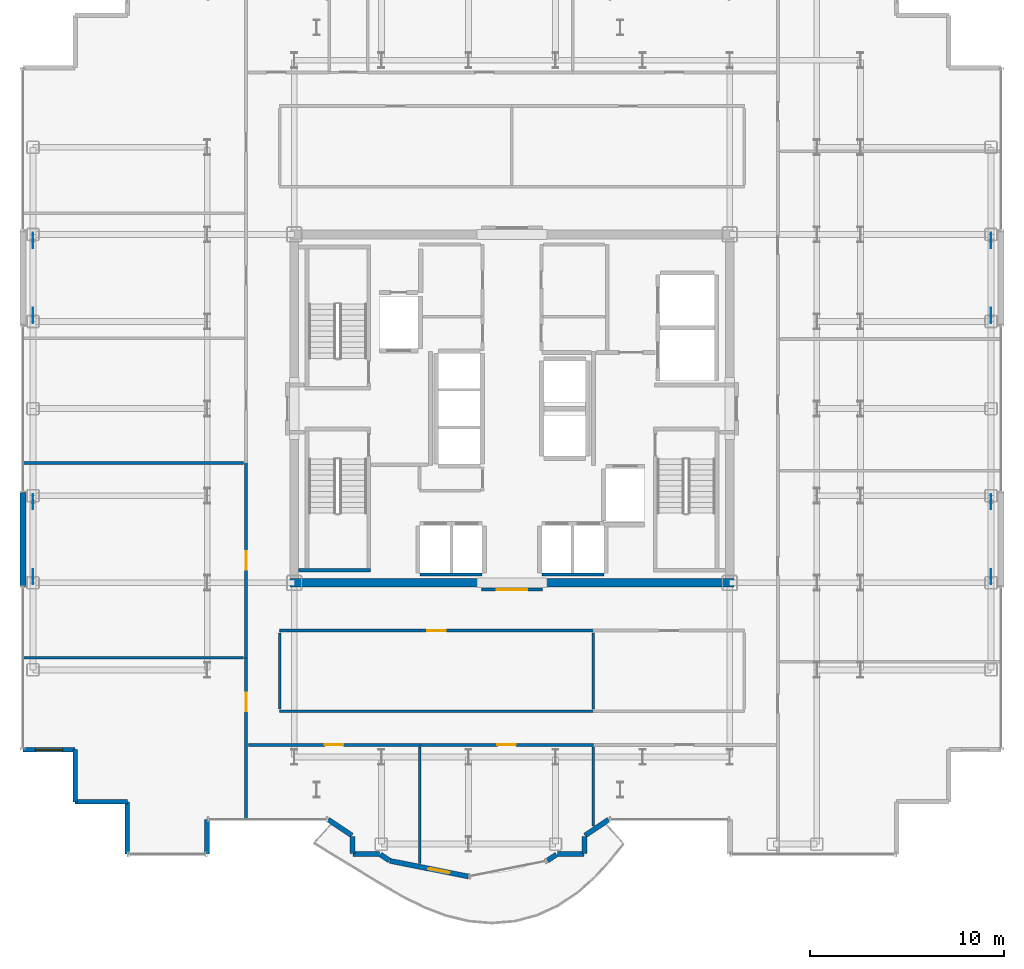
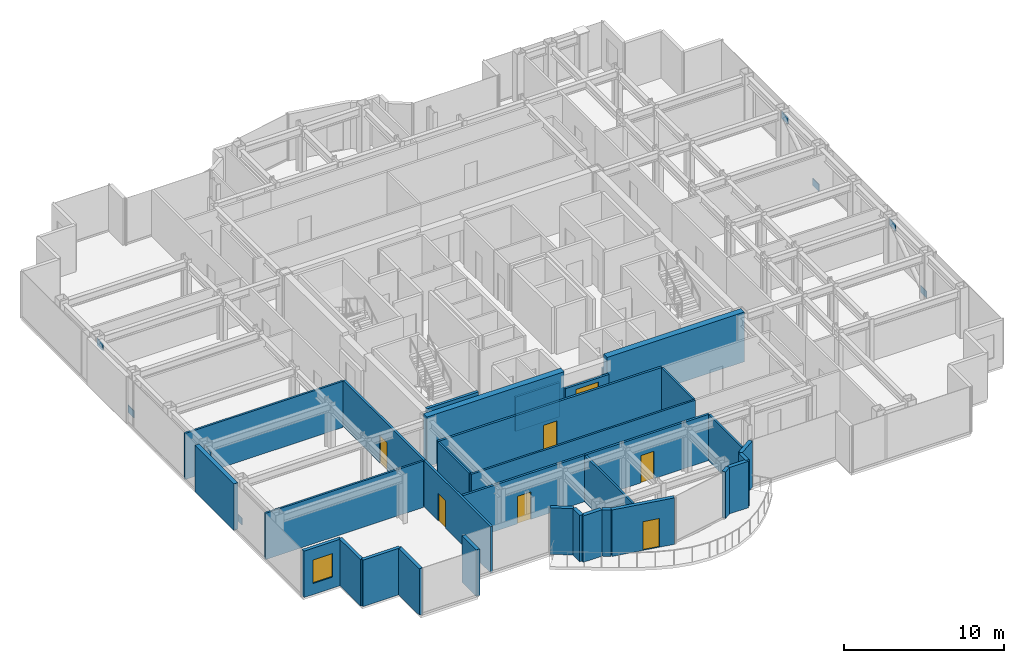
# One storey, part 15 of 22: 33 walls, 8 plates, 7 doors, 1 window, 8 openings.
"""IFC4 building model written with IfcOpenShell, lengths in metres."""

from ifc_helpers import new_model, si_unit, direction, frame, frame_2d, origin, origin_2d, place, context, subcontext, project, spatial, rectangle, extrude, source, transform, mapped, material, layer, layer_set, type_object, element, fill, save


model = new_model("IFC4")

# Units and contexts
model_context = context("Model", 3, precision=1e-05, world=origin(), true_north=direction((0.0, 1.0)))
body_context = subcontext(model_context, "Body", "Model", "MODEL_VIEW")
ifc_project = project(units=[si_unit("LENGTHUNIT", "METRE"), si_unit("AREAUNIT", "SQUARE_METRE"), si_unit("VOLUMEUNIT", "CUBIC_METRE"), si_unit("PLANEANGLEUNIT", "RADIAN"), si_unit("MASSUNIT", "GRAM", prefix="KILO")], contexts=[model_context])

# Site, building, storey
site_placement = place(None, origin())
site = spatial("IfcSite", under=ifc_project, at=site_placement, CompositionType="ELEMENT")
building_placement = place(site_placement, origin())
building = spatial("IfcBuilding", under=site, at=building_placement, Name="Nefas-Gora Pilgrimage Tower", CompositionType="ELEMENT")
storey_placement = place(building_placement, frame((0.0, 0.0, 218.0)))
storey = spatial("IfcBuildingStorey", under=building, at=storey_placement, Name="L54", CompositionType="ELEMENT", Elevation=218.0)

# Plates
ifc_material_1 = material(Name="Steel S460", Category="steel")
ifc_layer_1 = layer(ifc_material_1, 0.050048828125)
ifc_layer_set_1 = layer_set([ifc_layer_1], Name="Steel S460")
plate_type = type_object("IfcPlateType", Name="PLT-NODE-N08", PredefinedType="USERDEFINED", material=ifc_layer_set_1)
shared_shape_1 = source(origin(), body_context, "Body", "SweptSolid", [
    extrude(rectangle(XDim=0.780029296875, YDim=0.0380859375, at=origin_2d()), origin(), (0.0, 0.0, 1.0), 0.5400390625),
])
for number, where, z_axis, x_axis, name in (
    (1, (-24.75, -8.68701171875, 0.10400390625), (0.0, 0.0, 1.0), (0.0, 1.0, 0.0), "Structural Node Gusset Plate N08 (L54)"),
    (2, (-24.75, -4.81298828125, 2.8759765625), (0.0, 0.0, 1.0), (0.0, 1.0, 0.0), "Structural Node Gusset Plate N08 (L54)"),
    (3, (-24.75, 4.81298828125, 0.10400390625), (0.0, 0.0, 1.0), (0.0, 1.0, 0.0), "Structural Node Gusset Plate N08 (L54)"),
    (4, (-24.75, 8.68701171875, 2.8759765625), (0.0, 0.0, 1.0), (0.0, 1.0, 0.0), "Structural Node Gusset Plate N08 (L54)"),
    (5, (24.75, -8.68701171875, 0.10400390625), (0.0, 0.0, 1.0), (0.0, 1.0, 0.0), "Structural Node Gusset Plate N08 (L54)"),
    (6, (24.75, -4.81298828125, 2.8759765625), (0.0, 0.0, 1.0), (0.0, 1.0, 0.0), "Structural Node Gusset Plate N08 (L54)"),
    (7, (24.75, 4.81298828125, 0.10400390625), (0.0, 0.0, 1.0), (0.0, 1.0, 0.0), "Structural Node Gusset Plate N08 (L54)"),
    (8, (24.75, 8.68701171875, 2.8759765625), (0.0, 0.0, 1.0), (0.0, 1.0, 0.0), "Structural Node Gusset Plate N08 (L54)"),
):
    element("IfcPlate", number, at=place(storey_placement, frame(where, z_axis=z_axis, x_axis=x_axis)), inside=storey, type_object=plate_type, Name=name, ObjectType="GUSSET_PLATE", PredefinedType="USERDEFINED", context=body_context, shape_type="MappedRepresentation", body=[
        mapped(shared_shape_1, transform((0.0, 0.0, 0.0), x_axis=(1.0, 0.0, 0.0), y_axis=(0.0, 1.0, 0.0), z_axis=(0.0, 0.0, 1.0), scale=1.0)),
    ])

# Walls
ifc_material_2 = material(Name="Concrete C50/60", Category="concrete")
ifc_layer_2 = layer(ifc_material_2, 0.449951171875)
ifc_layer_set_2 = layer_set([ifc_layer_2], Name="Concrete C50/60")
wall_type_1 = type_object("IfcWallType", Name="SW-CORE-450", PredefinedType="SHEAR", material=ifc_layer_set_2)
shared_shape_2 = source(origin(), body_context, "Body", "SweptSolid", [
    extrude(rectangle(XDim=9.925048828125, YDim=0.449951171875, at=frame_2d((4.96240234375, 0.0))), origin(), (0.0, 0.0, 1.0), 3.800048828125),
])
for number, where, z_axis, x_axis, name in (
    (9, (-11.47509765625, -9.0, 0.0), (0.0, 0.0, 1.0), (1.0, 0.0, 0.0), "L54 Core Shear Wall S-West"),
    (10, (1.550048828125, -9.0, 0.0), (0.0, 0.0, 1.0), (1.0, 0.0, 0.0), "L54 Core Shear Wall S-East"),
):
    element("IfcWall", number, at=place(storey_placement, frame(where, z_axis=z_axis, x_axis=x_axis)), inside=storey, type_object=wall_type_1, Name=name, PredefinedType="SHEAR", context=body_context, shape_type="MappedRepresentation", body=[
        mapped(shared_shape_2, transform((0.0, 0.0, 0.0), x_axis=(1.0, 0.0, 0.0), y_axis=(0.0, 1.0, 0.0), z_axis=(0.0, 0.0, 1.0), scale=1.0)),
    ])
ifc_material_3 = material(Name="Precast concrete C45/55", Category="concrete")
ifc_layer_3 = layer(ifc_material_3, 0.239990234375)
ifc_layer_set_3 = layer_set([ifc_layer_3], Name="Precast concrete C45/55")
wall_type_2 = type_object("IfcWallType", Name="EW-SERR-240", PredefinedType="SHEAR", material=ifc_layer_set_3)
shared_shape_3 = source(origin(), body_context, "Body", "SweptSolid", [
    extrude(rectangle(XDim=4.8798828125, YDim=0.300048828125, at=frame_2d((2.43994140625, 0.0))), origin(), (0.0, 0.0, 1.0), 3.550048828125),
])
wall_1_placement = place(storey_placement, frame((-25.27001953125, -9.18994140625, 0.0), z_axis=(0.0, 0.0, 1.0), x_axis=(0.0, 1.0, 0.0)))
element("IfcWall", 11, at=wall_1_placement, inside=storey, type_object=wall_type_2, Name="L54 Braced-Tube Precast Shear Cladding 1", PredefinedType="SHEAR", context=body_context, shape_type="MappedRepresentation", body=[
    mapped(shared_shape_3, transform((0.0, 0.0, 0.0), x_axis=(1.0, 0.0, 0.0), y_axis=(0.0, 1.0, 0.0), z_axis=(0.0, 0.0, 1.0), scale=1.0)),
])
ifc_material_4 = material(Name="Precast concrete C40/50", Category="concrete")
ifc_layer_4 = layer(ifc_material_4, 0.260009765625)
ifc_layer_set_4 = layer_set([ifc_layer_4], Name="Precast concrete C40/50")
wall_type_3 = type_object("IfcWallType", Name="EW-PORTAL-260", PredefinedType="SOLIDWALL", material=ifc_layer_set_4)
shared_shape_4 = source(origin(), body_context, "Body", "SweptSolid", [
    extrude(rectangle(XDim=1.800048828125, YDim=0.260009765625, at=frame_2d((0.89990234375, 0.0))), origin(), (0.0, 0.0, 1.0), 3.550048828125),
])
wall_2_placement = place(storey_placement, frame((-15.75, -23.02001953125, 0.0), z_axis=(0.0, 0.0, 1.0), x_axis=(0.0, 1.0, 0.0)))
element("IfcWall", 12, at=wall_2_placement, inside=storey, type_object=wall_type_3, Name="L54 Lobe Shoulder Precast Spandrel Pier 33", PredefinedType="SOLIDWALL", context=body_context, shape_type="MappedRepresentation", body=[
    mapped(shared_shape_4, transform((0.0, 0.0, 0.0), x_axis=(1.0, 0.0, 0.0), y_axis=(0.0, 1.0, 0.0), z_axis=(0.0, 0.0, 1.0), scale=1.0)),
])

# Wall, opening, window
shared_shape_5 = source(origin(), body_context, "Body", "SweptSolid", [
    extrude(rectangle(XDim=2.699951171875, YDim=0.239990234375, at=frame_2d((1.35009765625, 0.0))), origin(), (0.0, 0.0, 1.0), 3.550048828125),
])
wall_3_placement = place(storey_placement, frame((-25.27001953125, -17.6201171875, 0.0), z_axis=(0.0, 0.0, 1.0), x_axis=(1.0, 0.0, 0.0)))
wall_3 = element("IfcWall", 13, at=wall_3_placement, inside=storey, type_object=wall_type_2, Name="L54 Serrated Corner Shear Pier Wall 29", PredefinedType="SHEAR", context=body_context, shape_type="MappedRepresentation", body=[
    mapped(shared_shape_5, transform((0.0, 0.0, 0.0), x_axis=(1.0, 0.0, 0.0), y_axis=(0.0, 1.0, 0.0), z_axis=(0.0, 0.0, 1.0), scale=1.0)),
])
opening_1_placement = place(wall_3_placement, frame((0.64990234375, 0.0, 0.85009765625)))
opening_1 = element("IfcOpeningElement", 14, at=opening_1_placement, cuts=wall_3, Name="Opening W-V2", PredefinedType="OPENING", context=body_context, shape_type="SweptSolid", body=[
    extrude(rectangle(XDim=1.39990234375, YDim=1.800048828125, at=frame_2d((0.699951171875, 0.89990234375))), frame((0.0, 0.1298828125, 0.0), z_axis=(0.0, -1.0, 0.0), x_axis=(1.0, 0.0, 0.0)), (0.0, 0.0, 1.0), 0.260009765625),
])
ifc_material_5 = material(Name="Dark ceramic-fritted operable aluminium-glass window", Category="aluminium")
window_type = type_object("IfcWindowType", Name="WIN-VENT-1400x1800", PartitioningType="SINGLE_PANEL", PredefinedType="WINDOW", material=ifc_material_5)
shared_shape_6 = source(origin(), body_context, "Body", "SweptSolid", [
    extrude(rectangle(XDim=1.39990234375, YDim=1.800048828125, at=frame_2d((0.699951171875, 0.89990234375))), frame((0.0, 0.030029296875, 0.0), z_axis=(0.0, -1.0, 0.0), x_axis=(1.0, 0.0, 0.0)), (0.0, 0.0, 1.0), 0.06005859375),
])
window_placement = place(opening_1_placement, origin())
window = element("IfcWindow", 15, at=window_placement, inside=storey, type_object=window_type, Name="L54 Operable Parallel-Outswing Window 29", OverallHeight=1.800048828125, OverallWidth=1.39990234375, PartitioningType="SINGLE_PANEL", PredefinedType="WINDOW", context=body_context, shape_type="MappedRepresentation", body=[
    mapped(shared_shape_6, transform((0.0, 0.0, 0.0), x_axis=(1.0, 0.0, 0.0), y_axis=(0.0, 1.0, 0.0), z_axis=(0.0, 0.0, 1.0), scale=1.0)),
])
fill(opening_1, window)

# Walls
for number, where, z_axis, x_axis, name in (
    (16, (-22.570068359375, -17.6201171875, 0.0), (0.0, 0.0, 1.0), (0.0, -1.0, 0.0), "L54 Serrated Corner Shear Pier Wall 30"),
    (17, (-22.570068359375, -20.320068359375, 0.0), (0.0, 0.0, 1.0), (1.0, 0.0, 0.0), "L54 Serrated Corner Shear Pier Wall 31"),
    (18, (-19.8701171875, -20.320068359375, 0.0), (0.0, 0.0, 1.0), (0.0, -1.0, 0.0), "L54 Serrated Corner Shear Pier Wall 32"),
):
    element("IfcWall", number, at=place(storey_placement, frame(where, z_axis=z_axis, x_axis=x_axis)), inside=storey, type_object=wall_type_2, Name=name, PredefinedType="SHEAR", context=body_context, shape_type="MappedRepresentation", body=[
        mapped(shared_shape_5, transform((0.0, 0.0, 0.0), x_axis=(1.0, 0.0, 0.0), y_axis=(0.0, 1.0, 0.0), z_axis=(0.0, 0.0, 1.0), scale=1.0)),
    ])
shared_shape_7 = source(origin(), body_context, "Body", "SweptSolid", [
    extrude(rectangle(XDim=1.468994140625, YDim=0.260009765625, at=frame_2d((0.734375, 0.0))), origin(), (0.0, 0.0, 1.0), 3.550048828125),
])
for number, where, z_axis, x_axis, name in (
    (19, (-9.49462890625, -21.235595703125, 0.0), (0.0, 0.0, 1.0), (0.831461760506, -0.555581983884, 0.0), "L54 Lobe Shoulder Precast Spandrel Pier 34"),
    (20, (3.773193359375, -22.0517578125, 0.0), (0.0, 0.0, 1.0), (0.831461760506, 0.555581983884, 0.0), "L54 Lobe Shoulder Precast Spandrel Pier 42"),
):
    element("IfcWall", number, at=place(storey_placement, frame(where, z_axis=z_axis, x_axis=x_axis)), inside=storey, type_object=wall_type_3, Name=name, PredefinedType="SOLIDWALL", context=body_context, shape_type="MappedRepresentation", body=[
        mapped(shared_shape_7, transform((0.0, 0.0, 0.0), x_axis=(1.0, 0.0, 0.0), y_axis=(0.0, 1.0, 0.0), z_axis=(0.0, 0.0, 1.0), scale=1.0)),
    ])
shared_shape_8 = source(origin(), body_context, "Body", "SweptSolid", [
    extrude(rectangle(XDim=0.896728515625, YDim=0.260009765625, at=frame_2d((0.4482421875, 0.0))), origin(), (0.0, 0.0, 1.0), 3.550048828125),
])
for number, where, z_axis, x_axis, name in (
    (21, (-8.25, -22.09521484375, 0.0), (0.0, 0.0, 1.0), (0.0, -1.0, 0.0), "L54 Lobe Shoulder Precast Spandrel Pier 35"),
    (22, (3.75, -22.991943359375, 0.0), (0.0, 0.0, 1.0), (0.0, 1.0, 0.0), "L54 Lobe Shoulder Precast Spandrel Pier 41"),
):
    element("IfcWall", number, at=place(storey_placement, frame(where, z_axis=z_axis, x_axis=x_axis)), inside=storey, type_object=wall_type_3, Name=name, PredefinedType="SOLIDWALL", context=body_context, shape_type="MappedRepresentation", body=[
        mapped(shared_shape_8, transform((0.0, 0.0, 0.0), x_axis=(1.0, 0.0, 0.0), y_axis=(0.0, 1.0, 0.0), z_axis=(0.0, 0.0, 1.0), scale=1.0)),
    ])
shared_shape_9 = source(origin(), body_context, "Body", "SweptSolid", [
    extrude(rectangle(XDim=1.369873046875, YDim=0.260009765625, at=frame_2d((0.68505859375, 0.0))), origin(), (0.0, 0.0, 1.0), 3.550048828125),
])
for number, where, z_axis, x_axis, name in (
    (23, (-8.221923828125, -23.02001953125, 0.0), (0.0, 0.0, 1.0), (1.0, 0.0, 0.0), "L54 Lobe Shoulder Precast Spandrel Pier 36"),
    (24, (2.35205078125, -23.02001953125, 0.0), (0.0, 0.0, 1.0), (1.0, 0.0, 0.0), "L54 Lobe Shoulder Precast Spandrel Pier 40"),
):
    element("IfcWall", number, at=place(storey_placement, frame(where, z_axis=z_axis, x_axis=x_axis)), inside=storey, type_object=wall_type_3, Name=name, PredefinedType="SOLIDWALL", context=body_context, shape_type="MappedRepresentation", body=[
        mapped(shared_shape_9, transform((0.0, 0.0, 0.0), x_axis=(1.0, 0.0, 0.0), y_axis=(0.0, 1.0, 0.0), z_axis=(0.0, 0.0, 1.0), scale=1.0)),
    ])
shared_shape_10 = source(origin(), body_context, "Body", "SweptSolid", [
    extrude(rectangle(XDim=0.5654296875, YDim=0.260009765625, at=frame_2d((0.28271484375, 0.0))), origin(), (0.0, 0.0, 1.0), 3.550048828125),
])
for number, where, z_axis, x_axis, name in (
    (25, (-6.80078125, -23.03564453125, 0.0), (0.0, 0.0, 1.0), (0.831651492666, -0.555297933317, 0.0), "L54 Lobe Shoulder Precast Spandrel Pier 37"),
    (26, (1.83056640625, -23.349609375, 0.0), (0.0, 0.0, 1.0), (0.831651492666, 0.555297933317, 0.0), "L54 Lobe Shoulder Precast Spandrel Pier 39"),
):
    element("IfcWall", number, at=place(storey_placement, frame(where, z_axis=z_axis, x_axis=x_axis)), inside=storey, type_object=wall_type_3, Name=name, PredefinedType="SOLIDWALL", context=body_context, shape_type="MappedRepresentation", body=[
        mapped(shared_shape_10, transform((0.0, 0.0, 0.0), x_axis=(1.0, 0.0, 0.0), y_axis=(0.0, 1.0, 0.0), z_axis=(0.0, 0.0, 1.0), scale=1.0)),
    ])

# Wall, opening, door
shared_shape_11 = source(origin(), body_context, "Body", "SweptSolid", [
    extrude(rectangle(XDim=4.136962890625, YDim=0.260009765625, at=frame_2d((2.068359375, 0.0))), origin(), (0.0, 0.0, 1.0), 3.550048828125),
])
wall_4_placement = place(storey_placement, frame((-6.307373046875, -23.365234375, 0.0), z_axis=(0.0, 0.0, 1.0), x_axis=(0.980782170794, -0.195105954428, 0.0)))
wall_4 = element("IfcWall", 27, at=wall_4_placement, inside=storey, type_object=wall_type_3, Name="L54 Insulated Terrace Portal Wall 38", PredefinedType="SOLIDWALL", context=body_context, shape_type="MappedRepresentation", body=[
    mapped(shared_shape_11, transform((0.0, 0.0, 0.0), x_axis=(1.0, 0.0, 0.0), y_axis=(0.0, 1.0, 0.0), z_axis=(0.0, 0.0, 1.0), scale=1.0)),
])
opening_2_placement = place(wall_4_placement, frame((2.03369140625, 0.0, 0.0)))
opening_2 = element("IfcOpeningElement", 28, at=opening_2_placement, cuts=wall_4, Name="Opening ED-B1", PredefinedType="OPENING", context=body_context, shape_type="SweptSolid", body=[
    extrude(rectangle(XDim=1.10009765625, YDim=2.199951171875, at=frame_2d((0.550048828125, 1.10009765625))), frame((0.0, 0.139892578125, 0.0), z_axis=(0.0, -1.0, 0.0), x_axis=(1.0, 0.0, 0.0)), (0.0, 0.0, 1.0), 0.280029296875),
])
ifc_material_6 = material(Name="Thermally broken glazed aluminium balcony door", Category="aluminium")
door_type_1 = type_object("IfcDoorType", Name="DR-EXT-BAL-1100", OperationType="NOTDEFINED", PredefinedType="DOOR", material=ifc_material_6)
shared_shape_12 = source(origin(), body_context, "Body", "SweptSolid", [
    extrude(rectangle(XDim=1.10009765625, YDim=2.199951171875, at=frame_2d((0.550048828125, 1.10009765625))), frame((0.0, 0.02490234375, 0.0), z_axis=(0.0, -1.0, 0.0), x_axis=(1.0, 0.0, 0.0)), (0.0, 0.0, 1.0), 0.050048828125),
])
door_1_placement = place(opening_2_placement, origin())
door_1 = element("IfcDoor", 29, at=door_1_placement, inside=storey, type_object=door_type_1, Name="L54 Exterior Door (L54 S Lobe Wave Balcony)", OperationType="SINGLE_SWING_RIGHT", OverallHeight=2.199951171875, OverallWidth=1.10009765625, PredefinedType="DOOR", context=body_context, shape_type="MappedRepresentation", body=[
    mapped(shared_shape_12, transform((0.0, 0.0, 0.0), x_axis=(1.0, 0.0, 0.0), y_axis=(0.0, 1.0, 0.0), z_axis=(0.0, 0.0, 1.0), scale=1.0)),
])
fill(opening_2, door_1)

# Walls
ifc_material_7 = material(Name="Concrete C45/55", Category="concrete")
ifc_layer_5 = layer(ifc_material_7, 0.199951171875)
ifc_layer_set_5 = layer_set([ifc_layer_5], Name="Concrete C45/55")
wall_type_4 = type_object("IfcWallType", Name="IW-STAIR-200", PredefinedType="SOLIDWALL", material=ifc_layer_set_5)
shared_shape_13 = source(origin(), body_context, "Body", "SweptSolid", [
    extrude(rectangle(XDim=3.72998046875, YDim=0.199951171875, at=frame_2d((1.864990234375, 0.0))), origin(), (0.0, 0.0, 1.0), 3.800048828125),
])
wall_5_placement = place(storey_placement, frame((-11.030029296875, -8.35009765625, 0.0), z_axis=(0.0, 0.0, 1.0), x_axis=(1.0, 0.0, 0.0)))
element("IfcWall", 30, at=wall_5_placement, inside=storey, type_object=wall_type_4, Name="L54 Stairwell Shear Wall ST-03-far", PredefinedType="SOLIDWALL", context=body_context, shape_type="MappedRepresentation", body=[
    mapped(shared_shape_13, transform((0.0, 0.0, 0.0), x_axis=(1.0, 0.0, 0.0), y_axis=(0.0, 1.0, 0.0), z_axis=(0.0, 0.0, 1.0), scale=1.0)),
])
ifc_material_8 = material(Name="Gypsum acoustic stud partition")
ifc_layer_6 = layer(ifc_material_8, 0.159912109375)
ifc_layer_set_6 = layer_set([ifc_layer_6], Name="Gypsum acoustic stud partition")
wall_type_5 = type_object("IfcWallType", Name="IW-CORR-160", PredefinedType="PARTITIONING", material=ifc_layer_set_6)
shared_shape_14 = source(origin(), body_context, "Body", "SweptSolid", [
    extrude(rectangle(XDim=3.199951171875, YDim=0.159912109375, at=frame_2d((1.60009765625, 0.0))), origin(), (0.0, 0.0, 1.0), 2.625),
])
for number, where, z_axis, x_axis, name in (
    (31, (-4.75, -8.580078125, 0.0), (0.0, 0.0, 1.0), (1.0, 0.0, 0.0), "L54 Hoistway Wall PL2-W-S"),
    (32, (1.550048828125, -8.580078125, 0.0), (0.0, 0.0, 1.0), (1.0, 0.0, 0.0), "L54 Hoistway Wall PL2-E-S"),
):
    element("IfcWall", number, at=place(storey_placement, frame(where, z_axis=z_axis, x_axis=x_axis)), inside=storey, type_object=wall_type_5, Name=name, PredefinedType="PARTITIONING", context=body_context, shape_type="MappedRepresentation", body=[
        mapped(shared_shape_14, transform((0.0, 0.0, 0.0), x_axis=(1.0, 0.0, 0.0), y_axis=(0.0, 1.0, 0.0), z_axis=(0.0, 0.0, 1.0), scale=1.0)),
    ])
ifc_material_9 = material(Name="Gypsum twin-stud partition")
ifc_layer_7 = layer(ifc_material_9, 0.139892578125)
ifc_layer_set_7 = layer_set([ifc_layer_7], Name="Gypsum twin-stud partition")
wall_type_6 = type_object("IfcWallType", Name="IW-UNIT-140", PredefinedType="PARTITIONING", material=ifc_layer_set_7)
shared_shape_15 = source(origin(), body_context, "Body", "SweptSolid", [
    extrude(rectangle(XDim=11.429931640625, YDim=0.139892578125, at=frame_2d((5.71484375, 0.0))), origin(), (0.0, 0.0, 1.0), 3.534912109375),
])
for number, where, z_axis, x_axis, name in (
    (33, (-25.2900390625, -12.87744140625, 0.0), (0.0, 0.0, 1.0), (1.0, 0.0, 0.0), "L54 Pilgrim Floor Concierge Foyer Partition Wall 33"),
    (34, (-25.2900390625, -2.804931640625, 0.0), (0.0, 0.0, 1.0), (1.0, 0.0, 0.0), "L54 Pilgrim Floor Concierge Foyer Partition Wall 34"),
):
    element("IfcWall", number, at=place(storey_placement, frame(where, z_axis=z_axis, x_axis=x_axis)), inside=storey, type_object=wall_type_6, Name=name, PredefinedType="PARTITIONING", context=body_context, shape_type="MappedRepresentation", body=[
        mapped(shared_shape_15, transform((0.0, 0.0, 0.0), x_axis=(1.0, 0.0, 0.0), y_axis=(0.0, 1.0, 0.0), z_axis=(0.0, 0.0, 1.0), scale=1.0)),
    ])
shared_shape_16 = source(origin(), body_context, "Body", "SweptSolid", [
    extrude(rectangle(XDim=3.929931640625, YDim=0.139892578125, at=frame_2d((1.96484375, 0.0))), origin(), (0.0, 0.0, 1.0), 3.534912109375),
])
for number, where, z_axis, x_axis, name in (
    (35, (-12.0, -15.52001953125, 0.0), (0.0, 0.0, 1.0), (0.0, 1.0, 0.0), "L54 Pilgrim Contemplative Lounge Partition Wall 67"),
    (36, (4.195068359375, -15.52001953125, 0.0), (0.0, 0.0, 1.0), (0.0, 1.0, 0.0), "L54 Pilgrim Contemplative Lounge Partition Wall 68"),
):
    element("IfcWall", number, at=place(storey_placement, frame(where, z_axis=z_axis, x_axis=x_axis)), inside=storey, type_object=wall_type_6, Name=name, PredefinedType="PARTITIONING", context=body_context, shape_type="MappedRepresentation", body=[
        mapped(shared_shape_16, transform((0.0, 0.0, 0.0), x_axis=(1.0, 0.0, 0.0), y_axis=(0.0, 1.0, 0.0), z_axis=(0.0, 0.0, 1.0), scale=1.0)),
    ])

# Wall, opening, door
shared_shape_17 = source(origin(), body_context, "Body", "SweptSolid", [
    extrude(rectangle(XDim=3.16015625, YDim=0.159912109375, at=frame_2d((1.580078125, 0.0))), origin(), (0.0, 0.0, 1.0), 2.625),
])
wall_6_placement = place(storey_placement, frame((-1.580078125, -9.35009765625, 0.0), z_axis=(0.0, 0.0, 1.0), x_axis=(1.0, 0.0, 0.0)))
wall_6 = element("IfcWall", 37, at=wall_6_placement, inside=storey, type_object=wall_type_5, Name="L54 Central Lift Lobby South Portal Wall 16", PredefinedType="PARTITIONING", context=body_context, shape_type="MappedRepresentation", body=[
    mapped(shared_shape_17, transform((0.0, 0.0, 0.0), x_axis=(1.0, 0.0, 0.0), y_axis=(0.0, 1.0, 0.0), z_axis=(0.0, 0.0, 1.0), scale=1.0)),
])
opening_3_placement = place(wall_6_placement, frame((0.780029296875, 0.0, 0.0)))
opening_3 = element("IfcOpeningElement", 38, at=opening_3_placement, cuts=wall_6, Name="Opening ID-HL1", PredefinedType="OPENING", context=body_context, shape_type="SweptSolid", body=[
    extrude(rectangle(XDim=1.60009765625, YDim=2.300048828125, at=frame_2d((0.800048828125, 1.14990234375))), frame((0.0, 0.08984375, 0.0), z_axis=(0.0, -1.0, 0.0), x_axis=(1.0, 0.0, 0.0)), (0.0, 0.0, 1.0), 0.179931640625),
])
ifc_material_10 = material(Name="Double acoustic timber assembly hall door", Category="wood")
door_type_2 = type_object("IfcDoorType", Name="DR-INT-HALL-1600", OperationType="DOUBLE_DOOR_SINGLE_SWING", PredefinedType="DOOR", material=ifc_material_10)
shared_shape_18 = source(origin(), body_context, "Body", "SweptSolid", [
    extrude(rectangle(XDim=1.60009765625, YDim=2.300048828125, at=frame_2d((0.800048828125, 1.14990234375))), frame((0.0, 0.02490234375, 0.0), z_axis=(0.0, -1.0, 0.0), x_axis=(1.0, 0.0, 0.0)), (0.0, 0.0, 1.0), 0.050048828125),
])
door_2_placement = place(opening_3_placement, origin())
door_2 = element("IfcDoor", 39, at=door_2_placement, inside=storey, type_object=door_type_2, Name="L54 Central Lift Lobby South Portal Door 6", OperationType="DOUBLE_DOOR_SINGLE_SWING", OverallHeight=2.300048828125, OverallWidth=1.60009765625, PredefinedType="DOOR", context=body_context, shape_type="MappedRepresentation", body=[
    mapped(shared_shape_18, transform((0.0, 0.0, 0.0), x_axis=(1.0, 0.0, 0.0), y_axis=(0.0, 1.0, 0.0), z_axis=(0.0, 0.0, 1.0), scale=1.0)),
])
fill(opening_3, door_2)

shared_shape_19 = source(origin(), body_context, "Body", "SweptSolid", [
    extrude(rectangle(XDim=10.092529296875, YDim=0.159912109375, at=frame_2d((5.04638671875, 0.0))), origin(), (0.0, 0.0, 1.0), 3.534912109375),
])
wall_7_placement = place(storey_placement, frame((-13.739990234375, -12.887451171875, 0.0), z_axis=(0.0, 0.0, 1.0), x_axis=(0.0, 1.0, 0.0)))
wall_7 = element("IfcWall", 40, at=wall_7_placement, inside=storey, type_object=wall_type_5, Name="L54 Pilgrim Floor Concierge Foyer Partition Wall 32", PredefinedType="PARTITIONING", context=body_context, shape_type="MappedRepresentation", body=[
    mapped(shared_shape_19, transform((0.0, 0.0, 0.0), x_axis=(1.0, 0.0, 0.0), y_axis=(0.0, 1.0, 0.0), z_axis=(0.0, 0.0, 1.0), scale=1.0)),
])
opening_4_placement = place(wall_7_placement, frame((4.5712890625, 0.0, 0.0)))
opening_4 = element("IfcOpeningElement", 41, at=opening_4_placement, cuts=wall_7, Name="Opening ID-GR1", PredefinedType="OPENING", context=body_context, shape_type="SweptSolid", body=[
    extrude(rectangle(XDim=0.949951171875, YDim=2.10009765625, at=frame_2d((0.47509765625, 1.050048828125))), frame((0.0, 0.08984375, 0.0), z_axis=(0.0, -1.0, 0.0), x_axis=(1.0, 0.0, 0.0)), (0.0, 0.0, 1.0), 0.179931640625),
])
ifc_material_11 = material(Name="Solid core oak fire-rated guest entrance door")
door_type_3 = type_object("IfcDoorType", Name="DR-INT-GUEST-950", OperationType="NOTDEFINED", PredefinedType="DOOR", material=ifc_material_11)
shared_shape_20 = source(origin(), body_context, "Body", "SweptSolid", [
    extrude(rectangle(XDim=0.949951171875, YDim=2.10009765625, at=frame_2d((0.47509765625, 1.050048828125))), frame((0.0, 0.02490234375, 0.0), z_axis=(0.0, -1.0, 0.0), x_axis=(1.0, 0.0, 0.0)), (0.0, 0.0, 1.0), 0.050048828125),
])
door_3_placement = place(opening_4_placement, origin())
door_3 = element("IfcDoor", 42, at=door_3_placement, inside=storey, type_object=door_type_3, Name="L54 Pilgrim Floor Concierge Foyer Door 13", OperationType="SINGLE_SWING_LEFT", OverallHeight=2.10009765625, OverallWidth=0.949951171875, PredefinedType="DOOR", context=body_context, shape_type="MappedRepresentation", body=[
    mapped(shared_shape_20, transform((0.0, 0.0, 0.0), x_axis=(1.0, 0.0, 0.0), y_axis=(0.0, 1.0, 0.0), z_axis=(0.0, 0.0, 1.0), scale=1.0)),
])
fill(opening_4, door_3)

shared_shape_21 = source(origin(), body_context, "Body", "SweptSolid", [
    extrude(rectangle(XDim=8.3525390625, YDim=0.159912109375, at=frame_2d((4.17626953125, 0.0))), origin(), (0.0, 0.0, 1.0), 3.534912109375),
])
wall_8_placement = place(storey_placement, frame((-13.739990234375, -21.239990234375, 0.0), z_axis=(0.0, 0.0, 1.0), x_axis=(0.0, 1.0, 0.0)))
wall_8 = element("IfcWall", 43, at=wall_8_placement, inside=storey, type_object=wall_type_5, Name="L54 Pilgrim Floor Concierge Foyer Partition Wall 35", PredefinedType="PARTITIONING", context=body_context, shape_type="MappedRepresentation", body=[
    mapped(shared_shape_21, transform((0.0, 0.0, 0.0), x_axis=(1.0, 0.0, 0.0), y_axis=(0.0, 1.0, 0.0), z_axis=(0.0, 0.0, 1.0), scale=1.0)),
])
opening_5_placement = place(wall_8_placement, frame((5.6162109375, 0.0, 0.0)))
opening_5 = element("IfcOpeningElement", 44, at=opening_5_placement, cuts=wall_8, Name="Opening ID-GR1", PredefinedType="OPENING", context=body_context, shape_type="SweptSolid", body=[
    extrude(rectangle(XDim=0.949951171875, YDim=2.10009765625, at=frame_2d((0.47509765625, 1.050048828125))), frame((0.0, 0.08984375, 0.0), z_axis=(0.0, -1.0, 0.0), x_axis=(1.0, 0.0, 0.0)), (0.0, 0.0, 1.0), 0.179931640625),
])
door_4_placement = place(opening_5_placement, origin())
door_4 = element("IfcDoor", 45, at=door_4_placement, inside=storey, type_object=door_type_3, Name="L54 Pilgrim Floor Concierge Foyer Door 14", OperationType="SINGLE_SWING_RIGHT", OverallHeight=2.10009765625, OverallWidth=0.949951171875, PredefinedType="DOOR", context=body_context, shape_type="MappedRepresentation", body=[
    mapped(shared_shape_20, transform((0.0, 0.0, 0.0), x_axis=(1.0, 0.0, 0.0), y_axis=(0.0, 1.0, 0.0), z_axis=(0.0, 0.0, 1.0), scale=1.0)),
])
fill(opening_5, door_4)

shared_shape_22 = source(origin(), body_context, "Body", "SweptSolid", [
    extrude(rectangle(XDim=8.860107421875, YDim=0.159912109375, at=frame_2d((4.43017578125, 0.0))), origin(), (0.0, 0.0, 1.0), 3.534912109375),
])
wall_9_placement = place(storey_placement, frame((-13.6201171875, -17.3701171875, 0.0), z_axis=(0.0, 0.0, 1.0), x_axis=(1.0, 0.0, 0.0)))
wall_9 = element("IfcWall", 46, at=wall_9_placement, inside=storey, type_object=wall_type_5, Name="L54 Pilgrim Contemplative Lounge Partition Wall 61", PredefinedType="PARTITIONING", context=body_context, shape_type="MappedRepresentation", body=[
    mapped(shared_shape_22, transform((0.0, 0.0, 0.0), x_axis=(1.0, 0.0, 0.0), y_axis=(0.0, 1.0, 0.0), z_axis=(0.0, 0.0, 1.0), scale=1.0)),
])
opening_6_placement = place(wall_9_placement, frame((3.955078125, 0.0, 0.0)))
opening_6 = element("IfcOpeningElement", 47, at=opening_6_placement, cuts=wall_9, Name="Opening ID-GR1", PredefinedType="OPENING", context=body_context, shape_type="SweptSolid", body=[
    extrude(rectangle(XDim=0.949951171875, YDim=2.10009765625, at=frame_2d((0.47509765625, 1.050048828125))), frame((0.0, 0.08984375, 0.0), z_axis=(0.0, -1.0, 0.0), x_axis=(1.0, 0.0, 0.0)), (0.0, 0.0, 1.0), 0.179931640625),
])
door_5_placement = place(opening_6_placement, origin())
door_5 = element("IfcDoor", 48, at=door_5_placement, inside=storey, type_object=door_type_3, Name="L54 Pilgrim Contemplative Lounge Door 28", OperationType="SINGLE_SWING_RIGHT", OverallHeight=2.10009765625, OverallWidth=0.949951171875, PredefinedType="DOOR", context=body_context, shape_type="MappedRepresentation", body=[
    mapped(shared_shape_20, transform((0.0, 0.0, 0.0), x_axis=(1.0, 0.0, 0.0), y_axis=(0.0, 1.0, 0.0), z_axis=(0.0, 0.0, 1.0), scale=1.0)),
])
fill(opening_6, door_5)

# Wall
shared_shape_23 = source(origin(), body_context, "Body", "SweptSolid", [
    extrude(rectangle(XDim=6.008056640625, YDim=0.139892578125, at=frame_2d((3.00390625, 0.0))), origin(), (0.0, 0.0, 1.0), 3.534912109375),
])
wall_10_placement = place(storey_placement, frame((-4.77001953125, -23.498046875, 0.0), z_axis=(0.0, 0.0, 1.0), x_axis=(0.0, 1.0, 0.0)))
element("IfcWall", 49, at=wall_10_placement, inside=storey, type_object=wall_type_6, Name="L54 Pilgrim Contemplative Lounge Partition Wall 62", PredefinedType="PARTITIONING", context=body_context, shape_type="MappedRepresentation", body=[
    mapped(shared_shape_23, transform((0.0, 0.0, 0.0), x_axis=(1.0, 0.0, 0.0), y_axis=(0.0, 1.0, 0.0), z_axis=(0.0, 0.0, 1.0), scale=1.0)),
])

# Wall, opening, door
shared_shape_24 = source(origin(), body_context, "Body", "SweptSolid", [
    extrude(rectangle(XDim=8.965087890625, YDim=0.159912109375, at=frame_2d((4.482421875, 0.0))), origin(), (0.0, 0.0, 1.0), 3.534912109375),
])
wall_11_placement = place(storey_placement, frame((-4.760009765625, -17.3701171875, 0.0), z_axis=(0.0, 0.0, 1.0), x_axis=(1.0, 0.0, 0.0)))
wall_11 = element("IfcWall", 50, at=wall_11_placement, inside=storey, type_object=wall_type_5, Name="L54 Pilgrim Contemplative Lounge Partition Wall 63", PredefinedType="PARTITIONING", context=body_context, shape_type="MappedRepresentation", body=[
    mapped(shared_shape_24, transform((0.0, 0.0, 0.0), x_axis=(1.0, 0.0, 0.0), y_axis=(0.0, 1.0, 0.0), z_axis=(0.0, 0.0, 1.0), scale=1.0)),
])
opening_7_placement = place(wall_11_placement, frame((4.007568359375, 0.0, 0.0)))
opening_7 = element("IfcOpeningElement", 51, at=opening_7_placement, cuts=wall_11, Name="Opening ID-GR1", PredefinedType="OPENING", context=body_context, shape_type="SweptSolid", body=[
    extrude(rectangle(XDim=0.949951171875, YDim=2.10009765625, at=frame_2d((0.47509765625, 1.050048828125))), frame((0.0, 0.08984375, 0.0), z_axis=(0.0, -1.0, 0.0), x_axis=(1.0, 0.0, 0.0)), (0.0, 0.0, 1.0), 0.179931640625),
])
door_6_placement = place(opening_7_placement, origin())
door_6 = element("IfcDoor", 52, at=door_6_placement, inside=storey, type_object=door_type_3, Name="L54 Pilgrim Contemplative Lounge Door 29", OperationType="SINGLE_SWING_LEFT", OverallHeight=2.10009765625, OverallWidth=0.949951171875, PredefinedType="DOOR", context=body_context, shape_type="MappedRepresentation", body=[
    mapped(shared_shape_20, transform((0.0, 0.0, 0.0), x_axis=(1.0, 0.0, 0.0), y_axis=(0.0, 1.0, 0.0), z_axis=(0.0, 0.0, 1.0), scale=1.0)),
])
fill(opening_7, door_6)

# Wall
shared_shape_25 = source(origin(), body_context, "Body", "SweptSolid", [
    extrude(rectangle(XDim=4.077880859375, YDim=0.139892578125, at=frame_2d((2.0390625, 0.0))), origin(), (0.0, 0.0, 1.0), 3.534912109375),
])
wall_12_placement = place(storey_placement, frame((4.195068359375, -21.56787109375, 0.0), z_axis=(0.0, 0.0, 1.0), x_axis=(0.0, 1.0, 0.0)))
element("IfcWall", 53, at=wall_12_placement, inside=storey, type_object=wall_type_6, Name="L54 Pilgrim Contemplative Lounge Partition Wall 64", PredefinedType="PARTITIONING", context=body_context, shape_type="MappedRepresentation", body=[
    mapped(shared_shape_25, transform((0.0, 0.0, 0.0), x_axis=(1.0, 0.0, 0.0), y_axis=(0.0, 1.0, 0.0), z_axis=(0.0, 0.0, 1.0), scale=1.0)),
])

# Wall, opening, door
shared_shape_26 = source(origin(), body_context, "Body", "SweptSolid", [
    extrude(rectangle(XDim=16.215087890625, YDim=0.159912109375, at=frame_2d((8.107421875, 0.0))), origin(), (0.0, 0.0, 1.0), 3.534912109375),
])
wall_13_placement = place(storey_placement, frame((-12.010009765625, -11.469970703125, 0.0), z_axis=(0.0, 0.0, 1.0), x_axis=(1.0, 0.0, 0.0)))
wall_13 = element("IfcWall", 54, at=wall_13_placement, inside=storey, type_object=wall_type_5, Name="L54 Pilgrim Contemplative Lounge Partition Wall 65", PredefinedType="PARTITIONING", context=body_context, shape_type="MappedRepresentation", body=[
    mapped(shared_shape_26, transform((0.0, 0.0, 0.0), x_axis=(1.0, 0.0, 0.0), y_axis=(0.0, 1.0, 0.0), z_axis=(0.0, 0.0, 1.0), scale=1.0)),
])
opening_8_placement = place(wall_13_placement, frame((7.632568359375, 0.0, 0.0)))
opening_8 = element("IfcOpeningElement", 55, at=opening_8_placement, cuts=wall_13, Name="Opening ID-GR1", PredefinedType="OPENING", context=body_context, shape_type="SweptSolid", body=[
    extrude(rectangle(XDim=0.949951171875, YDim=2.10009765625, at=frame_2d((0.47509765625, 1.050048828125))), frame((0.0, 0.08984375, 0.0), z_axis=(0.0, -1.0, 0.0), x_axis=(1.0, 0.0, 0.0)), (0.0, 0.0, 1.0), 0.179931640625),
])
door_7_placement = place(opening_8_placement, origin())
door_7 = element("IfcDoor", 56, at=door_7_placement, inside=storey, type_object=door_type_3, Name="L54 Pilgrim Contemplative Lounge Door 30", OperationType="SINGLE_SWING_RIGHT", OverallHeight=2.10009765625, OverallWidth=0.949951171875, PredefinedType="DOOR", context=body_context, shape_type="MappedRepresentation", body=[
    mapped(shared_shape_20, transform((0.0, 0.0, 0.0), x_axis=(1.0, 0.0, 0.0), y_axis=(0.0, 1.0, 0.0), z_axis=(0.0, 0.0, 1.0), scale=1.0)),
])
fill(opening_8, door_7)

# Wall
shared_shape_27 = source(origin(), body_context, "Body", "SweptSolid", [
    extrude(rectangle(XDim=16.215087890625, YDim=0.139892578125, at=frame_2d((8.107421875, 0.0))), origin(), (0.0, 0.0, 1.0), 3.534912109375),
])
wall_14_placement = place(storey_placement, frame((-12.010009765625, -15.6298828125, 0.0), z_axis=(0.0, 0.0, 1.0), x_axis=(1.0, 0.0, 0.0)))
element("IfcWall", 57, at=wall_14_placement, inside=storey, type_object=wall_type_6, Name="L54 Pilgrim Contemplative Lounge Partition Wall 66", PredefinedType="PARTITIONING", context=body_context, shape_type="MappedRepresentation", body=[
    mapped(shared_shape_27, transform((0.0, 0.0, 0.0), x_axis=(1.0, 0.0, 0.0), y_axis=(0.0, 1.0, 0.0), z_axis=(0.0, 0.0, 1.0), scale=1.0)),
])

save(model, "model.ifc")
